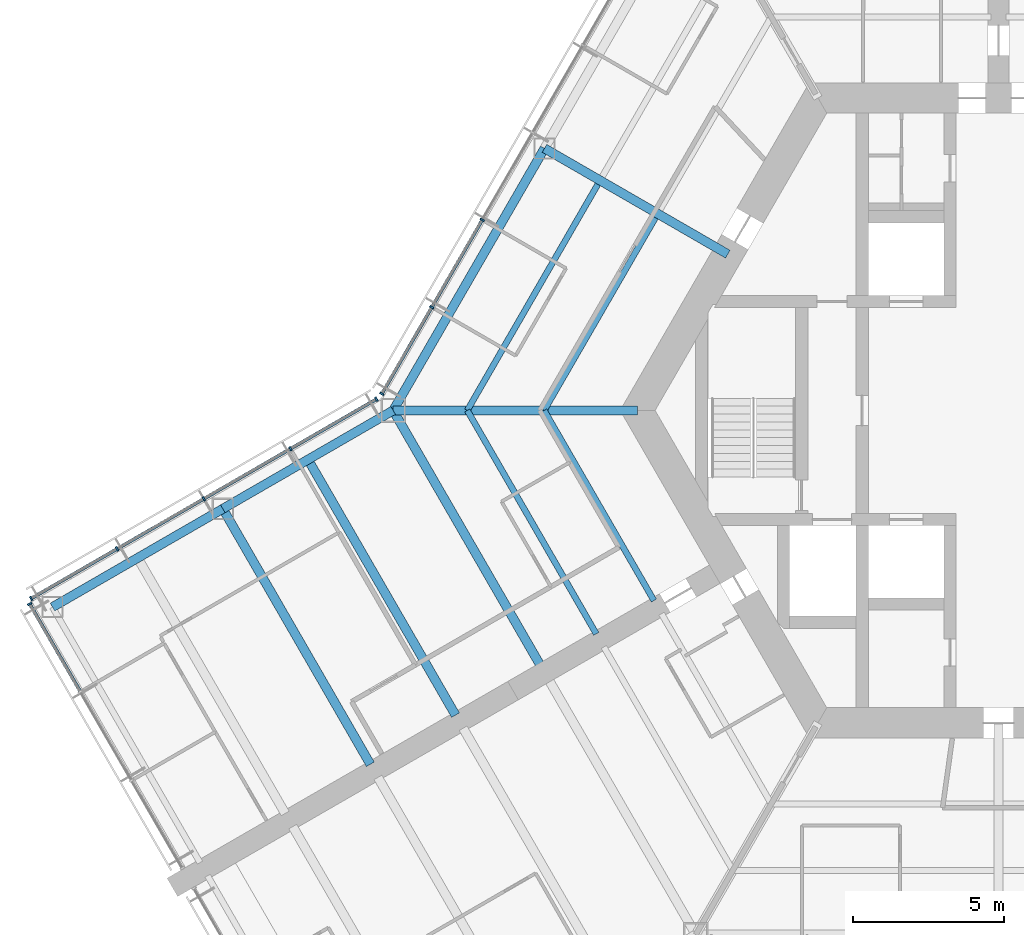
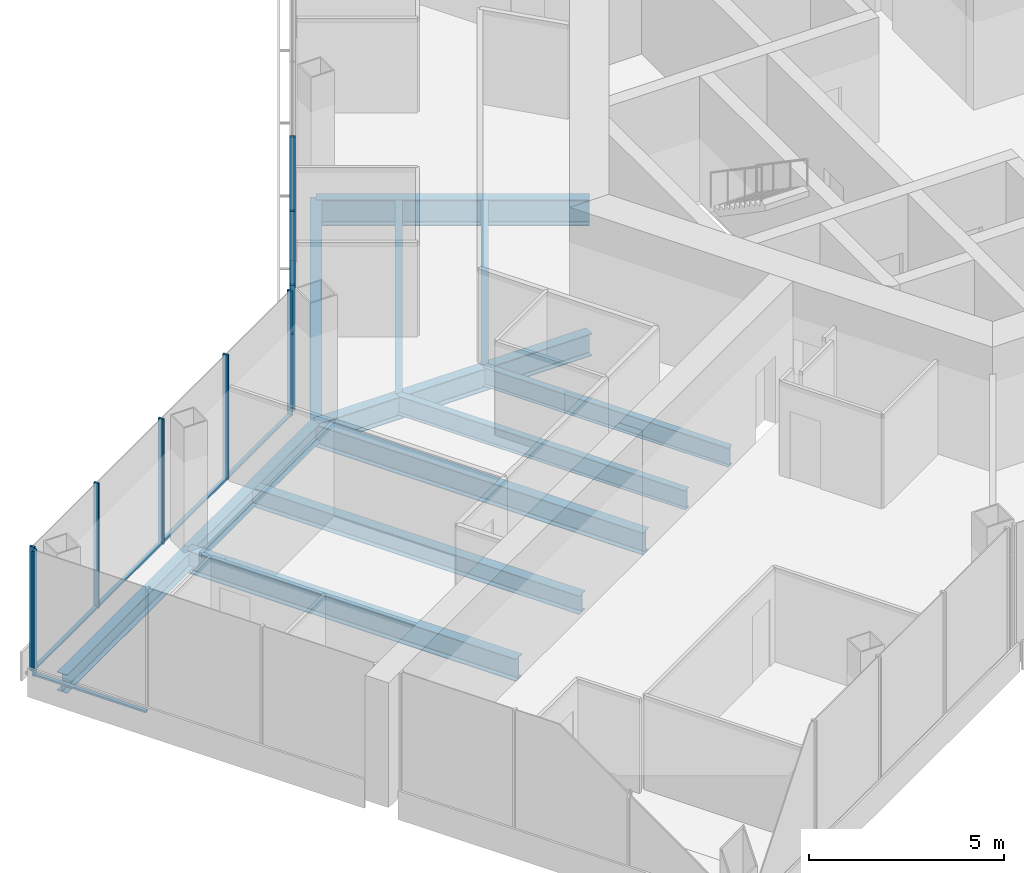
# One storey, part 4 of 19: 16 members, 12 beams, 3 elements without a shape of their own.
"""IFC4 building model written with IfcOpenShell, lengths in metres."""

from ifc_helpers import new_model, si_unit, direction, frame, origin, origin_2d, place, context, subcontext, project, spatial, rectangle, i_section, extrude, material, material_profile, profile_set, type_object, element, aggregate, save


model = new_model("IFC4")

# Units and contexts
model_context = context("Model", 3, precision=1e-05, world=origin(), true_north=direction((0.0, 1.0)))
body_context = subcontext(model_context, "Body", "Model", "MODEL_VIEW")
ifc_project = project(units=[si_unit("LENGTHUNIT", "METRE"), si_unit("AREAUNIT", "SQUARE_METRE"), si_unit("VOLUMEUNIT", "CUBIC_METRE"), si_unit("PLANEANGLEUNIT", "RADIAN"), si_unit("MASSUNIT", "GRAM", prefix="KILO")], contexts=[model_context])

# Site, building, storey
site_placement = place(None, origin())
site = spatial("IfcSite", under=ifc_project, at=site_placement, CompositionType="ELEMENT")
building_placement = place(site_placement, origin())
building = spatial("IfcBuilding", under=site, at=building_placement, Name="Kasaneha Research Tower", CompositionType="ELEMENT")
storey_placement = place(building_placement, frame((0.0, 0.0, 164.300048828125)))
storey = spatial("IfcBuildingStorey", under=building, at=storey_placement, Name="L41", CompositionType="ELEMENT", Elevation=164.300048828125)

# Beams
ifc_material_1 = material(Name="Steel SN490B", Category="steel")
ifc_material_profile_1 = material_profile(ifc_material_1, i_section(OverallWidth=0.199951171875, OverallDepth=0.60009765625, WebThickness=0.010986328125, FlangeThickness=0.01708984375, FilletRadius=0.012939453125, at=origin_2d()), Name="H-600x200x11x17")
ifc_profile_set_1 = profile_set([ifc_material_profile_1], Name="Steel SN490B")
beam_type_1 = type_object("IfcBeamType", Name="B1-3 secondary beam H-600x200x11x17", PredefinedType="JOIST", material=ifc_profile_set_1)
beam_1_placement = place(storey_placement, frame((-15.010986328125, 0.0, -0.449951171875), z_axis=(0.499994443168, 0.866028611999, 0.0), x_axis=(-0.866028611999, 0.499994443168, 0.0)))
element("IfcBeam", 1, at=beam_1_placement, inside=storey, type_object=beam_type_1, Name="Secondary beam RS150R1 L41", PredefinedType="JOIST", context=body_context, shape_type="SweptSolid", body=[
    extrude(i_section(OverallWidth=0.199951171875, OverallDepth=0.60009765625, WebThickness=0.010986328125, FlangeThickness=0.01708984375, FilletRadius=0.012939453125, at=origin_2d()), origin(), (0.0, 0.0, 1.0), 7.35546875),
])
beam_2_placement = place(storey_placement, frame((-17.551513671875, 0.0, -0.449951171875), z_axis=(0.5000050195, 0.866022505755, 0.0), x_axis=(-0.866022505755, 0.5000050195, 0.0)))
element("IfcBeam", 2, at=beam_2_placement, inside=storey, type_object=beam_type_1, Name="Secondary beam RS150R2 L41", PredefinedType="JOIST", context=body_context, shape_type="SweptSolid", body=[
    extrude(i_section(OverallWidth=0.199951171875, OverallDepth=0.60009765625, WebThickness=0.010986328125, FlangeThickness=0.01708984375, FilletRadius=0.012939453125, at=origin_2d()), origin(), (0.0, 0.0, 1.0), 8.6259765625),
])
beam_3_placement = place(storey_placement, frame((-15.010986328125, 0.0, -0.449951171875), z_axis=(0.499993340521, -0.866029248602, 0.0), x_axis=(0.866029248602, 0.499993340521, 0.0)))
element("IfcBeam", 3, at=beam_3_placement, inside=storey, type_object=beam_type_1, Name="Secondary beam RS210L1 L41", PredefinedType="JOIST", context=body_context, shape_type="SweptSolid", body=[
    extrude(i_section(OverallWidth=0.199951171875, OverallDepth=0.60009765625, WebThickness=0.010986328125, FlangeThickness=0.01708984375, FilletRadius=0.012939453125, at=origin_2d()), origin(), (0.0, 0.0, 1.0), 7.25537109375),
])
beam_4_placement = place(storey_placement, frame((-17.551513671875, 0.0, -0.449951171875), z_axis=(0.500004205306, -0.866022975836, 0.0), x_axis=(0.866022975836, 0.500004205306, 0.0)))
element("IfcBeam", 4, at=beam_4_placement, inside=storey, type_object=beam_type_1, Name="Secondary beam RS210L2 L41", PredefinedType="JOIST", context=body_context, shape_type="SweptSolid", body=[
    extrude(i_section(OverallWidth=0.199951171875, OverallDepth=0.60009765625, WebThickness=0.010986328125, FlangeThickness=0.01708984375, FilletRadius=0.012939453125, at=origin_2d()), origin(), (0.0, 0.0, 1.0), 8.52587890625),
])
ifc_material_2 = material(Name="Steel SN490B", Category="steel")
ifc_material_profile_2 = material_profile(ifc_material_2, i_section(OverallWidth=0.300048828125, OverallDepth=0.58203125, WebThickness=0.011962890625, FlangeThickness=0.01708984375, FilletRadius=0.012939453125, at=origin_2d()), Name="H-582x300x12x17")
ifc_profile_set_2 = profile_set([ifc_material_profile_2], Name="Steel SN490B")
beam_type_2 = type_object("IfcBeamType", Name="B2-3 secondary beam H-582x300x12x17", PredefinedType="JOIST", material=ifc_profile_set_2)
beam_5_placement = place(storey_placement, frame((-22.814697265625, -1.625, -0.441162109375), z_axis=(0.499995560238, -0.866027967067, 0.0), x_axis=(0.866027967067, 0.499995560238, 0.0)))
element("IfcBeam", 5, at=beam_5_placement, inside=storey, type_object=beam_type_2, Name="Secondary beam WBBP1 L41", PredefinedType="JOIST", context=body_context, shape_type="SweptSolid", body=[
    extrude(i_section(OverallWidth=0.300048828125, OverallDepth=0.58203125, WebThickness=0.011962890625, FlangeThickness=0.01708984375, FilletRadius=0.012939453125, at=origin_2d()), origin(), (0.0, 0.0, 1.0), 9.75),
])

# Curtain wall, members
ifc_material_3 = material(Name="Glass and aluminium", Category="aluminium")
curtain_wall_type = type_object("IfcCurtainWallType", Name="Mid-rise office curtain wall", PredefinedType="USERDEFINED", material=ifc_material_3)
curtain_wall_1_placement = place(storey_placement, origin())
curtain_wall_1 = element("IfcCurtainWall", 6, at=curtain_wall_1_placement, inside=storey, type_object=curtain_wall_type, Name="CW-O2 L41 run 08a", ObjectType="UNITISED CURTAIN WALL", PredefinedType="USERDEFINED")
ifc_material_4 = material(Name="Aluminium 6063-T6", Category="aluminium")
ifc_material_profile_3 = material_profile(ifc_material_4, rectangle(XDim=0.06005859375, YDim=0.14990234375, at=origin_2d()), Name="CW-O2 mullion 60x150")
ifc_profile_set_3 = profile_set([ifc_material_profile_3], Name="Aluminium 6063-T6")
member_type_1 = type_object("IfcMemberType", Name="CW-O2 mullion", PredefinedType="MULLION", material=ifc_profile_set_3)
member_1_placement = place(storey_placement, frame((-17.058349609375, 6.295166015625, 0.0), z_axis=(0.0, 0.0, 1.0), x_axis=(-0.499999979232, -0.866025415775, 0.0)))
member_1 = element("IfcMember", 7, at=member_1_placement, type_object=member_type_1, Name="CW-O2 mullion 5", PredefinedType="MULLION", context=body_context, shape_type="SweptSolid", body=[
    extrude(rectangle(XDim=0.06005859375, YDim=0.14990234375, at=origin_2d()), origin(), (0.0, 0.0, 1.0), 3.89990234375),
])
member_2_placement = place(storey_placement, frame((-18.723876953125, 3.410400390625, 0.0), z_axis=(0.0, 0.0, 1.0), x_axis=(-0.499999979232, -0.866025415775, 0.0)))
member_2 = element("IfcMember", 8, at=member_2_placement, type_object=member_type_1, Name="CW-O2 mullion 6", PredefinedType="MULLION", context=body_context, shape_type="SweptSolid", body=[
    extrude(rectangle(XDim=0.06005859375, YDim=0.14990234375, at=origin_2d()), origin(), (0.0, 0.0, 1.0), 3.89990234375),
])
member_3_placement = place(storey_placement, frame((-20.374267578125, 0.5517578125, 0.0), z_axis=(0.0, 0.0, 1.0), x_axis=(-0.499999979232, -0.866025415775, 0.0)))
member_3 = element("IfcMember", 9, at=member_3_placement, type_object=member_type_1, Name="CW-O2 mullion 7", PredefinedType="MULLION", context=body_context, shape_type="SweptSolid", body=[
    extrude(rectangle(XDim=0.06005859375, YDim=0.14990234375, at=origin_2d()), origin(), (0.0, 0.0, 1.0), 3.89990234375),
])

curtain_wall_2_placement = place(storey_placement, origin())
curtain_wall_2 = element("IfcCurtainWall", 10, at=curtain_wall_2_placement, inside=storey, type_object=curtain_wall_type, Name="CW-O2 L41 run 09a", ObjectType="UNITISED CURTAIN WALL", PredefinedType="USERDEFINED")
member_4_placement = place(storey_placement, frame((-20.5517578125, 0.374267578125, 0.0), z_axis=(0.0, 0.0, 1.0), x_axis=(-0.866025411464, -0.499999986699, 0.0)))
member_4 = element("IfcMember", 11, at=member_4_placement, type_object=member_type_1, Name="CW-O2 mullion 1", PredefinedType="MULLION", context=body_context, shape_type="SweptSolid", body=[
    extrude(rectangle(XDim=0.06005859375, YDim=0.14990234375, at=origin_2d()), origin(), (0.0, 0.0, 1.0), 3.89990234375),
])
member_5_placement = place(storey_placement, frame((-23.39208984375, -1.265625, 0.0), z_axis=(0.0, 0.0, 1.0), x_axis=(-0.866025411464, -0.499999986699, 0.0)))
member_5 = element("IfcMember", 12, at=member_5_placement, type_object=member_type_1, Name="CW-O2 mullion 2", PredefinedType="MULLION", context=body_context, shape_type="SweptSolid", body=[
    extrude(rectangle(XDim=0.06005859375, YDim=0.14990234375, at=origin_2d()), origin(), (0.0, 0.0, 1.0), 3.89990234375),
])
member_6_placement = place(storey_placement, frame((-26.258544921875, -2.920654296875, 0.0), z_axis=(0.0, 0.0, 1.0), x_axis=(-0.866025411464, -0.499999986699, 0.0)))
member_6 = element("IfcMember", 13, at=member_6_placement, type_object=member_type_1, Name="CW-O2 mullion 3", PredefinedType="MULLION", context=body_context, shape_type="SweptSolid", body=[
    extrude(rectangle(XDim=0.06005859375, YDim=0.14990234375, at=origin_2d()), origin(), (0.0, 0.0, 1.0), 3.89990234375),
])
member_7_placement = place(storey_placement, frame((-29.125, -4.575439453125, 0.0), z_axis=(0.0, 0.0, 1.0), x_axis=(-0.866025411464, -0.499999986699, 0.0)))
member_7 = element("IfcMember", 14, at=member_7_placement, type_object=member_type_1, Name="CW-O2 mullion 4", PredefinedType="MULLION", context=body_context, shape_type="SweptSolid", body=[
    extrude(rectangle(XDim=0.06005859375, YDim=0.14990234375, at=origin_2d()), origin(), (0.0, 0.0, 1.0), 3.89990234375),
])
member_8_placement = place(storey_placement, frame((-31.96533203125, -6.21533203125, 0.0), z_axis=(0.0, 0.0, 1.0), x_axis=(-0.866025411464, -0.499999986699, 0.0)))
member_8 = element("IfcMember", 15, at=member_8_placement, type_object=member_type_1, Name="CW-O2 mullion 5", PredefinedType="MULLION", context=body_context, shape_type="SweptSolid", body=[
    extrude(rectangle(XDim=0.06005859375, YDim=0.14990234375, at=origin_2d()), origin(), (0.0, 0.0, 1.0), 3.89990234375),
])

# Curtain wall, member
curtain_wall_3_placement = place(storey_placement, origin())
curtain_wall_3 = element("IfcCurtainWall", 16, at=curtain_wall_3_placement, inside=storey, type_object=curtain_wall_type, Name="CW-O2 L41 run 10a", ObjectType="UNITISED CURTAIN WALL", PredefinedType="USERDEFINED")
member_9_placement = place(storey_placement, frame((-32.012939453125, -6.39306640625, 0.0), z_axis=(0.0, 0.0, 1.0), x_axis=(0.500000011442, -0.866025397178, 0.0)))
member_9 = element("IfcMember", 17, at=member_9_placement, type_object=member_type_1, Name="CW-O2 mullion 1", PredefinedType="MULLION", context=body_context, shape_type="SweptSolid", body=[
    extrude(rectangle(XDim=0.06005859375, YDim=0.14990234375, at=origin_2d()), origin(), (0.0, 0.0, 1.0), 3.89990234375),
])

# Member
ifc_material_5 = material(Name="Aluminium 6063-T6", Category="aluminium")
ifc_material_profile_4 = material_profile(ifc_material_5, rectangle(XDim=0.110107421875, YDim=0.06005859375, at=origin_2d()), Name="CW-O2 transom 110x60")
ifc_profile_set_4 = profile_set([ifc_material_profile_4], Name="Aluminium 6063-T6")
member_type_2 = type_object("IfcMemberType", Name="CW-O2 transom", PredefinedType="USERDEFINED", material=ifc_profile_set_4)
member_10_placement = place(storey_placement, frame((-17.0732421875, 6.269287109375, 0.030029296875), z_axis=(-0.500000270186, -0.866025247793, 0.0), x_axis=(0.866025247793, -0.500000270186, 0.0)))
member_10 = element("IfcMember", 18, at=member_10_placement, type_object=member_type_2, Name="CW-O2 transom 5", ObjectType="TRANSOM", PredefinedType="USERDEFINED", context=body_context, shape_type="SweptSolid", body=[
    extrude(rectangle(XDim=0.110107421875, YDim=0.06005859375, at=origin_2d()), origin(), (0.0, 0.0, 1.0), 3.27099609375),
])

member_11_placement = place(storey_placement, frame((-18.73876953125, 3.384521484375, 0.030029296875), z_axis=(-0.499987643696, -0.866032537582, 0.0), x_axis=(0.866032537582, -0.499987643696, 0.0)))
member_11 = element("IfcMember", 19, at=member_11_placement, type_object=member_type_2, Name="CW-O2 transom 6", ObjectType="TRANSOM", PredefinedType="USERDEFINED", context=body_context, shape_type="SweptSolid", body=[
    extrude(rectangle(XDim=0.110107421875, YDim=0.06005859375, at=origin_2d()), origin(), (0.0, 0.0, 1.0), 3.24072265625),
])

aggregate(curtain_wall_1, [member_1, member_2, member_3, member_10, member_11])

member_12_placement = place(storey_placement, frame((-20.577880859375, 0.359130859375, 0.030029296875), z_axis=(-0.866022692473, -0.500004696101, 0.0), x_axis=(0.500004696101, -0.866022692473, 0.0)))
member_12 = element("IfcMember", 20, at=member_12_placement, type_object=member_type_2, Name="CW-O2 transom 1", ObjectType="TRANSOM", PredefinedType="USERDEFINED", context=body_context, shape_type="SweptSolid", body=[
    extrude(rectangle(XDim=0.110107421875, YDim=0.06005859375, at=origin_2d()), origin(), (0.0, 0.0, 1.0), 3.2197265625),
])

member_13_placement = place(storey_placement, frame((-23.418212890625, -1.28076171875, 0.030029296875), z_axis=(-0.86604797581, -0.499960902066, 0.0), x_axis=(0.499960902066, -0.86604797581, 0.0)))
member_13 = element("IfcMember", 21, at=member_13_placement, type_object=member_type_2, Name="CW-O2 transom 2", ObjectType="TRANSOM", PredefinedType="USERDEFINED", context=body_context, shape_type="SweptSolid", body=[
    extrude(rectangle(XDim=0.110107421875, YDim=0.06005859375, at=origin_2d()), origin(), (0.0, 0.0, 1.0), 3.249755859375),
])

member_14_placement = place(storey_placement, frame((-26.28466796875, -2.935546875, 0.030029296875), z_axis=(-0.86599666273, -0.500049777664, 0.0), x_axis=(0.500049777664, -0.86599666273, 0.0)))
member_14 = element("IfcMember", 22, at=member_14_placement, type_object=member_type_2, Name="CW-O2 transom 3", ObjectType="TRANSOM", PredefinedType="USERDEFINED", context=body_context, shape_type="SweptSolid", body=[
    extrude(rectangle(XDim=0.110107421875, YDim=0.06005859375, at=origin_2d()), origin(), (0.0, 0.0, 1.0), 3.249755859375),
])

member_15_placement = place(storey_placement, frame((-29.15087890625, -4.590576171875, 0.030029296875), z_axis=(-0.866041647767, -0.499971863542, 0.0), x_axis=(0.499971863542, -0.866041647767, 0.0)))
member_15 = element("IfcMember", 23, at=member_15_placement, type_object=member_type_2, Name="CW-O2 transom 4", ObjectType="TRANSOM", PredefinedType="USERDEFINED", context=body_context, shape_type="SweptSolid", body=[
    extrude(rectangle(XDim=0.110107421875, YDim=0.06005859375, at=origin_2d()), origin(), (0.0, 0.0, 1.0), 3.219970703125),
])

aggregate(curtain_wall_2, [member_4, member_5, member_6, member_7, member_8, member_12, member_13, member_14, member_15])

member_16_placement = place(storey_placement, frame((-31.998046875, -6.4189453125, 0.030029296875), z_axis=(0.500021914551, -0.866012751043, 0.0), x_axis=(0.866012751043, 0.500021914551, 0.0)))
member_16 = element("IfcMember", 24, at=member_16_placement, type_object=member_type_2, Name="CW-O2 transom 1", ObjectType="TRANSOM", PredefinedType="USERDEFINED", context=body_context, shape_type="SweptSolid", body=[
    extrude(rectangle(XDim=0.110107421875, YDim=0.06005859375, at=origin_2d()), origin(), (0.0, 0.0, 1.0), 3.293212890625),
])

aggregate(curtain_wall_3, [member_9, member_16])

# Beams
ifc_material_6 = material(Name="Steel SN490B", Category="steel")
ifc_material_profile_5 = material_profile(ifc_material_6, i_section(OverallWidth=0.300048828125, OverallDepth=0.699951171875, WebThickness=0.012939453125, FlangeThickness=0.02392578125, FilletRadius=0.01806640625, at=origin_2d()), Name="H-700x300x13x24")
ifc_profile_set_5 = profile_set([ifc_material_profile_5], Name="Steel SN490B")
beam_type_3 = type_object("IfcBeamType", Name="G1-3 radial girder H-700x300x13x24", PredefinedType="BEAM", material=ifc_profile_set_5)
beam_6_placement = place(storey_placement, frame((-11.92236328125, 0.0, -0.5), z_axis=(-1.0, 0.0, 0.0), x_axis=(0.0, -1.0, 0.0)))
element("IfcBeam", 25, at=beam_6_placement, inside=storey, type_object=beam_type_3, Name="Radial girder RV180 L41", PredefinedType="BEAM", context=body_context, shape_type="SweptSolid", body=[
    extrude(i_section(OverallWidth=0.300048828125, OverallDepth=0.699951171875, WebThickness=0.012939453125, FlangeThickness=0.02392578125, FilletRadius=0.01806640625, at=origin_2d()), origin(), (0.0, 0.0, 1.0), 8.07763671875),
])
ifc_material_7 = material(Name="Steel SN490B", Category="steel")
ifc_material_profile_6 = material_profile(ifc_material_7, i_section(OverallWidth=0.300048828125, OverallDepth=0.800048828125, WebThickness=0.013916015625, FlangeThickness=0.02587890625, FilletRadius=0.01806640625, at=origin_2d()), Name="H-800x300x14x26")
ifc_profile_set_6 = profile_set([ifc_material_profile_6], Name="Steel SN490B")
beam_type_4 = type_object("IfcBeamType", Name="G2-3 radial girder H-800x300x14x26", PredefinedType="BEAM", material=ifc_profile_set_6)
beam_7_placement = place(storey_placement, frame((-8.941650390625, 5.16259765625, -0.550048828125), z_axis=(-0.866039713508, 0.499975214012, 0.0), x_axis=(-0.499975214012, -0.866039713508, 0.0)))
element("IfcBeam", 26, at=beam_7_placement, inside=storey, type_object=beam_type_4, Name="Radial girder RM150 L41", PredefinedType="BEAM", context=body_context, shape_type="SweptSolid", body=[
    extrude(i_section(OverallWidth=0.300048828125, OverallDepth=0.800048828125, WebThickness=0.013916015625, FlangeThickness=0.02587890625, FilletRadius=0.01806640625, at=origin_2d()), origin(), (0.0, 0.0, 1.0), 6.995361328125),
])
ifc_material_8 = material(Name="Steel SN490B", Category="steel")
ifc_material_profile_7 = material_profile(ifc_material_8, i_section(OverallWidth=0.300048828125, OverallDepth=0.69189453125, WebThickness=0.012939453125, FlangeThickness=0.02001953125, FilletRadius=0.01806640625, at=origin_2d()), Name="H-692x300x13x20")
ifc_profile_set_7 = profile_set([ifc_material_profile_7], Name="Steel SN490B")
beam_type_5 = type_object("IfcBeamType", Name="G3-3 plate edge girder H-692x300x13x20", PredefinedType="BEAM", material=ifc_profile_set_7)
beam_8_placement = place(storey_placement, frame((-20.0, 0.0, -0.49609375), z_axis=(0.499995560238, -0.866027967067, 0.0), x_axis=(0.866027967067, 0.499995560238, 0.0)))
element("IfcBeam", 27, at=beam_8_placement, inside=storey, type_object=beam_type_5, Name="Plate edge girder PEBP L41", PredefinedType="BEAM", context=body_context, shape_type="SweptSolid", body=[
    extrude(i_section(OverallWidth=0.300048828125, OverallDepth=0.69189453125, WebThickness=0.012939453125, FlangeThickness=0.02001953125, FilletRadius=0.01806640625, at=origin_2d()), origin(), (0.0, 0.0, 1.0), 9.75),
])
ifc_material_9 = material(Name="Steel SN490B", Category="steel")
ifc_material_profile_8 = material_profile(ifc_material_9, i_section(OverallWidth=0.300048828125, OverallDepth=0.699951171875, WebThickness=0.012939453125, FlangeThickness=0.02392578125, FilletRadius=0.01806640625, at=origin_2d()), Name="H-700x300x13x24")
ifc_profile_set_8 = profile_set([ifc_material_profile_8], Name="Steel SN490B")
beam_type_6 = type_object("IfcBeamType", Name="G4-3 wing girder H-700x300x13x24", PredefinedType="BEAM", material=ifc_profile_set_8)
beam_9_placement = place(storey_placement, frame((-25.629150390625, -3.25, -0.5), z_axis=(0.499995560238, -0.866027967067, 0.0), x_axis=(0.866027967067, 0.499995560238, 0.0)))
element("IfcBeam", 28, at=beam_9_placement, inside=storey, type_object=beam_type_6, Name="Wing girder WGBP L41", PredefinedType="BEAM", context=body_context, shape_type="SweptSolid", body=[
    extrude(i_section(OverallWidth=0.300048828125, OverallDepth=0.699951171875, WebThickness=0.012939453125, FlangeThickness=0.02392578125, FilletRadius=0.01806640625, at=origin_2d()), origin(), (0.0, 0.0, 1.0), 9.75),
])
ifc_material_10 = material(Name="Steel SN490B", Category="steel")
ifc_material_profile_9 = material_profile(ifc_material_10, i_section(OverallWidth=0.300048828125, OverallDepth=0.69189453125, WebThickness=0.012939453125, FlangeThickness=0.02001953125, FilletRadius=0.01806640625, at=origin_2d()), Name="H-692x300x13x20")
ifc_profile_set_9 = profile_set([ifc_material_profile_9], Name="Steel SN490B")
beam_type_7 = type_object("IfcBeamType", Name="SB1-3 spandrel beam H-692x300x13x20", PredefinedType="SPANDREL", material=ifc_profile_set_9)
beam_10_placement = place(storey_placement, frame((-20.0, 0.0, -0.49609375), z_axis=(0.500004234368, 0.866022959057, 0.0), x_axis=(-0.866022959057, 0.500004234368, 0.0)))
element("IfcBeam", 29, at=beam_10_placement, inside=storey, type_object=beam_type_7, Name="Spandrel beam SR150R L41", PredefinedType="SPANDREL", context=body_context, shape_type="SweptSolid", body=[
    extrude(i_section(OverallWidth=0.300048828125, OverallDepth=0.69189453125, WebThickness=0.012939453125, FlangeThickness=0.02001953125, FilletRadius=0.01806640625, at=origin_2d()), origin(), (0.0, 0.0, 1.0), 10.0),
])
ifc_material_11 = material(Name="Steel SN490B", Category="steel")
ifc_material_profile_10 = material_profile(ifc_material_11, i_section(OverallWidth=0.300048828125, OverallDepth=0.58203125, WebThickness=0.011962890625, FlangeThickness=0.01708984375, FilletRadius=0.012939453125, at=origin_2d()), Name="H-582x300x12x17")
ifc_profile_set_10 = profile_set([ifc_material_profile_10], Name="Steel SN490B")
beam_type_8 = type_object("IfcBeamType", Name="SB2-3 spandrel beam H-582x300x12x17", PredefinedType="SPANDREL", material=ifc_profile_set_10)
for number, where, z_axis, x_axis, name in (
    (30, (-20.0, 0.0, -0.441162109375), (-0.866024837091, -0.50000098154, 0.0), (0.50000098154, -0.866024837091, 0.0), "Spandrel beam WSBP1 L41"),
    (31, (-25.629150390625, -3.25, -0.441162109375), (-0.866024837091, -0.50000098154, 0.0), (0.50000098154, -0.866024837091, 0.0), "Spandrel beam WSBP2 L41"),
):
    element("IfcBeam", number, at=place(storey_placement, frame(where, z_axis=z_axis, x_axis=x_axis)), inside=storey, type_object=beam_type_8, Name=name, PredefinedType="SPANDREL", context=body_context, shape_type="SweptSolid", body=[
        extrude(i_section(OverallWidth=0.300048828125, OverallDepth=0.58203125, WebThickness=0.011962890625, FlangeThickness=0.01708984375, FilletRadius=0.012939453125, at=origin_2d()), origin(), (0.0, 0.0, 1.0), 6.5),
    ])

save(model, "model.ifc")
